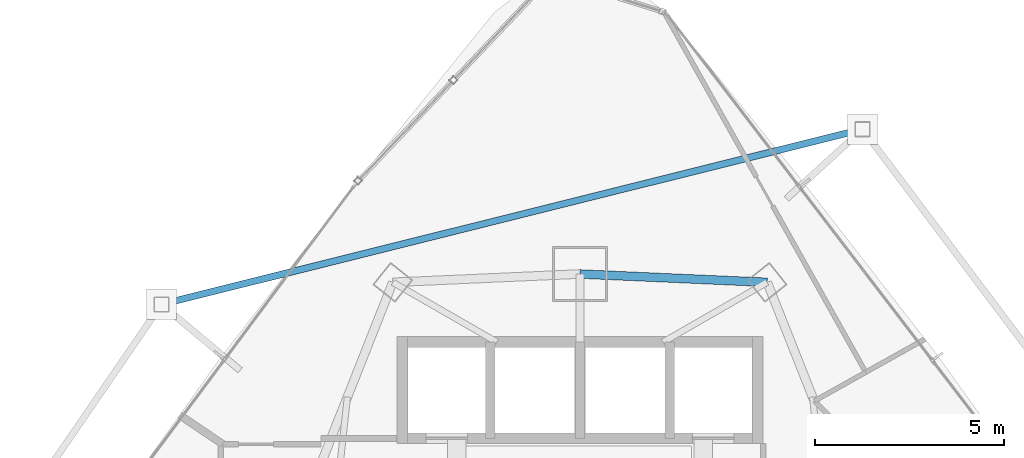
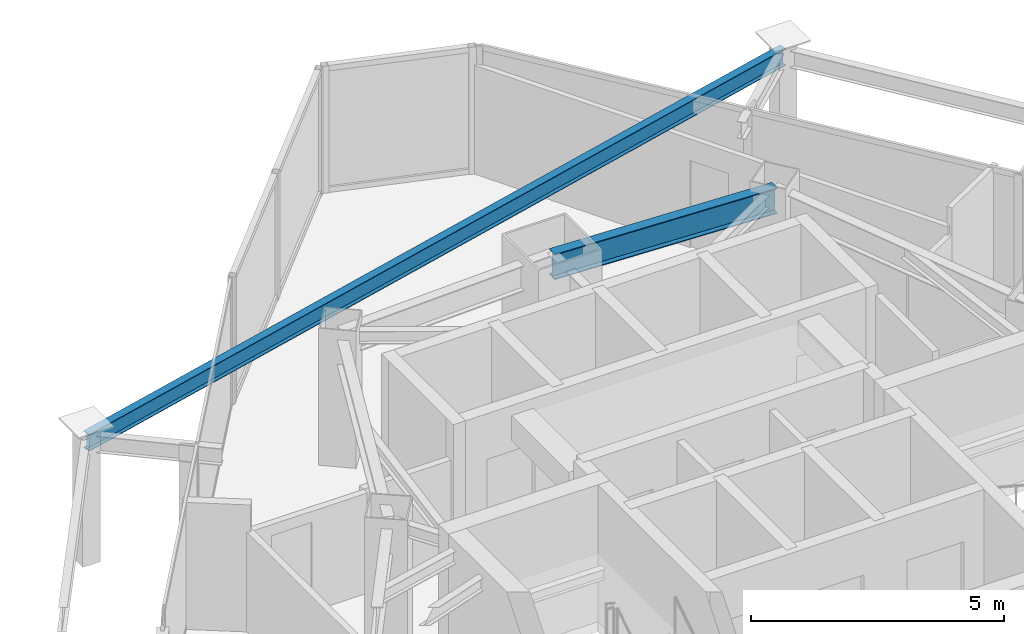
# One storey, part 23 of 33: 2 beams.
"""IFC4 building model written with IfcOpenShell, lengths in metres."""

from ifc_helpers import new_model, si_unit, direction, frame, origin, origin_2d, place, context, subcontext, project, spatial, i_section, extrude, material, material_profile, profile_set, type_object, element, save


model = new_model("IFC4")

# Units and contexts
model_context = context("Model", 3, precision=1e-05, world=origin(), true_north=direction((0.0, 1.0)))
body_context = subcontext(model_context, "Body", "Model", "MODEL_VIEW")
ifc_project = project(units=[si_unit("LENGTHUNIT", "METRE"), si_unit("AREAUNIT", "SQUARE_METRE"), si_unit("VOLUMEUNIT", "CUBIC_METRE"), si_unit("PLANEANGLEUNIT", "RADIAN"), si_unit("MASSUNIT", "GRAM", prefix="KILO")], contexts=[model_context])

# Site, building, storey
site_placement = place(None, origin())
site = spatial("IfcSite", under=ifc_project, at=site_placement, CompositionType="ELEMENT")
building_placement = place(site_placement, origin())
building = spatial("IfcBuilding", under=site, at=building_placement, Name="Orvanel Arch Residences", CompositionType="ELEMENT")
storey_placement = place(building_placement, frame((0.0, 0.0, 123.199951171875)))
storey = spatial("IfcBuildingStorey", under=building, at=storey_placement, Name="L34", CompositionType="ELEMENT", Elevation=123.199951171875)

# Beams
ifc_material = material(Name="Structural steel AS/NZS 3679.1 Grade 300 (300 MPa)", Category="steel")
ifc_material_profile_1 = material_profile(ifc_material, i_section(OverallWidth=0.177978515625, OverallDepth=0.406005859375, WebThickness=0.0078125, FlangeThickness=0.0126953125, at=origin_2d()), Name="410UB59.7")
ifc_profile_set_1 = profile_set([ifc_material_profile_1], Name="Structural steel AS/NZS 3679.1 Grade 300 (300 MPa)")
beam_type_1 = type_object("IfcBeamType", Name="OB-410UB-EXT", PredefinedType="SPANDREL", material=ifc_profile_set_1)
beam_1_placement = place(storey_placement, frame((40.47412109375, 45.22607421875, 2.85693359375), z_axis=(-0.970215338823, -0.242244084163, 0.0), x_axis=(0.242244084163, -0.970215338823, 0.0)))
element("IfcBeam", 1, at=beam_1_placement, inside=storey, type_object=beam_type_1, Name="L34 Outer Perimeter Floor Ring Beam 12", PredefinedType="SPANDREL", context=body_context, shape_type="SweptSolid", body=[
    extrude(i_section(OverallWidth=0.177978515625, OverallDepth=0.406005859375, WebThickness=0.0078125, FlangeThickness=0.0126953125, at=origin_2d()), origin(), (0.0, 0.0, 1.0), 19.113525390625),
])
ifc_material_profile_2 = material_profile(ifc_material, i_section(OverallWidth=0.22900390625, OverallDepth=0.612060546875, WebThickness=0.011962890625, FlangeThickness=0.01953125, at=origin_2d()), Name="610UB125")
ifc_profile_set_2 = profile_set([ifc_material_profile_2], Name="Structural steel AS/NZS 3679.1 Grade 300 (300 MPa)")
beam_type_2 = type_object("IfcBeamType", Name="SP-610UB", PredefinedType="SPANDREL", material=ifc_profile_set_2)
beam_2_placement = place(storey_placement, frame((37.949951171875, 41.177978515625, 2.754150390625), z_axis=(-0.999014049296, 0.044395149614, 0.0), x_axis=(-0.044395149614, -0.999014049296, 0.0)))
element("IfcBeam", 2, at=beam_2_placement, inside=storey, type_object=beam_type_2, Name="L34 Perimeter Spandrel Beam 14", PredefinedType="SPANDREL", context=body_context, shape_type="SweptSolid", body=[
    extrude(i_section(OverallWidth=0.22900390625, OverallDepth=0.612060546875, WebThickness=0.011962890625, FlangeThickness=0.01953125, at=origin_2d()), origin(), (0.0, 0.0, 1.0), 4.954833984375),
])

save(model, "model.ifc")
